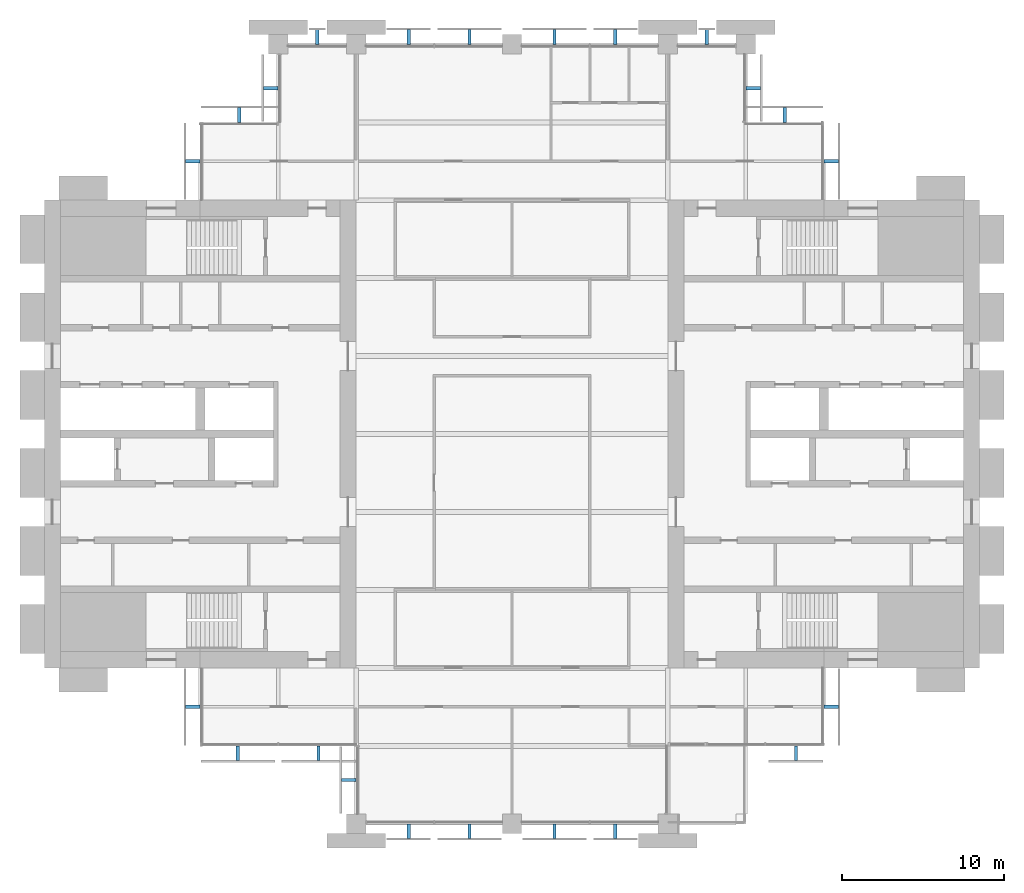
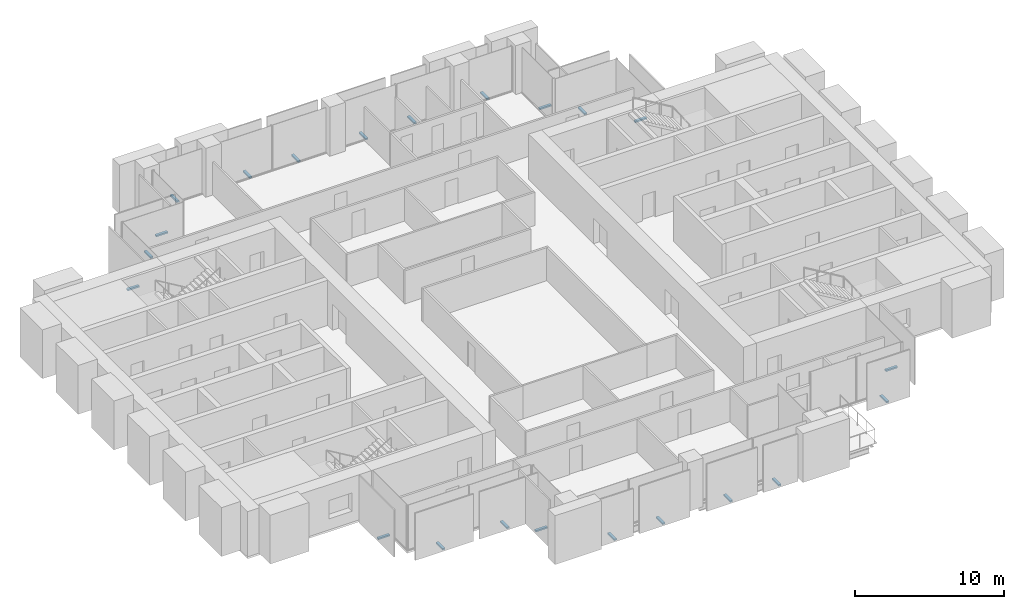
# One storey, part 12 of 13: 22 discrete accessories.
"""IFC4 building model written with IfcOpenShell, lengths in metres."""

from ifc_helpers import new_model, si_unit, direction, frame, origin, origin_2d, place, context, subcontext, project, spatial, rectangle, extrude, material, type_object, element, save


model = new_model("IFC4")

# Units and contexts
model_context = context("Model", 3, precision=1e-05, world=origin(), true_north=direction((0.0, 1.0)))
body_context = subcontext(model_context, "Body", "Model", "MODEL_VIEW")
ifc_project = project(units=[si_unit("LENGTHUNIT", "METRE"), si_unit("AREAUNIT", "SQUARE_METRE"), si_unit("VOLUMEUNIT", "CUBIC_METRE"), si_unit("PLANEANGLEUNIT", "RADIAN"), si_unit("MASSUNIT", "GRAM", prefix="KILO")], contexts=[model_context])

# Site, building, storey
site_placement = place(None, origin())
site = spatial("IfcSite", under=ifc_project, at=site_placement, CompositionType="ELEMENT")
building_placement = place(site_placement, origin())
building = spatial("IfcBuilding", under=site, at=building_placement, Name="Baori Bourse Tower", CompositionType="ELEMENT")
storey_placement = place(building_placement, frame((0.0, 0.0, 172.10009765625)))
storey = spatial("IfcBuildingStorey", under=building, at=storey_placement, Name="L38", CompositionType="ELEMENT", Elevation=172.10009765625)

# Discrete accessories
ifc_material = material(Name="Pale anodised aluminium", Category="aluminium")
discrete_accessory_type = type_object("IfcDiscreteAccessoryType", Name="OS2 Outer skin bracket", PredefinedType="BRACKET", material=ifc_material)
for number, where, z_axis, x_axis, name in (
    (1, (48.449951171875, 40.800048828125, -0.14404296875), (0.0, 0.0, 1.0), (0.0, 1.0, 0.0), "Outer skin bracket L38 1"),
    (2, (45.60009765625, 43.64990234375, -0.14404296875), (0.0, 0.0, 1.0), (-1.0, 0.0, 0.0), "Outer skin bracket L38 2"),
    (3, (43.64990234375, 45.300048828125, -0.14404296875), (0.0, 0.0, 1.0), (0.0, 1.0, 0.0), "Outer skin bracket L38 3"),
    (4, (40.800048828125, 48.449951171875, -0.14404296875), (0.0, 0.0, 1.0), (-1.0, 0.0, 0.0), "Outer skin bracket L38 4"),
    (5, (35.16259765625, 48.449951171875, -0.14404296875), (0.0, 0.0, 1.0), (-1.0, 0.0, 0.0), "Outer skin bracket L38 5"),
    (6, (31.41259765625, 48.449951171875, -0.14404296875), (0.0, 0.0, 1.0), (-1.0, 0.0, 0.0), "Outer skin bracket L38 6"),
    (7, (26.1875, 48.449951171875, -0.14404296875), (0.0, 0.0, 1.0), (-1.0, 0.0, 0.0), "Outer skin bracket L38 7"),
    (8, (22.4375, 48.449951171875, -0.14404296875), (0.0, 0.0, 1.0), (-1.0, 0.0, 0.0), "Outer skin bracket L38 8"),
    (9, (16.800048828125, 48.449951171875, -0.14404296875), (0.0, 0.0, 1.0), (-1.0, 0.0, 0.0), "Outer skin bracket L38 9"),
    (10, (13.949951171875, 45.300048828125, -0.14404296875), (0.0, 0.0, 1.0), (0.0, -1.0, 0.0), "Outer skin bracket L38 10"),
    (11, (12.0, 43.64990234375, -0.14404296875), (0.0, 0.0, 1.0), (-1.0, 0.0, 0.0), "Outer skin bracket L38 11"),
    (12, (9.14990234375, 40.800048828125, -0.14404296875), (0.0, 0.0, 1.0), (0.0, -1.0, 0.0), "Outer skin bracket L38 12"),
    (13, (9.14990234375, 7.199951171875, -0.14404296875), (0.0, 0.0, 1.0), (0.0, -1.0, 0.0), "Outer skin bracket L38 13"),
    (14, (11.91259765625, 4.35009765625, -0.14404296875), (0.0, 0.0, 1.0), (1.0, 0.0, 0.0), "Outer skin bracket L38 14"),
    (15, (16.887451171875, 4.35009765625, -0.14404296875), (0.0, 0.0, 1.0), (1.0, 0.0, 0.0), "Outer skin bracket L38 15"),
    (16, (18.75, 2.699951171875, -0.14404296875), (0.0, 0.0, 1.0), (0.0, -1.0, 0.0), "Outer skin bracket L38 16"),
    (17, (22.4375, -0.449951171875, -0.14404296875), (0.0, 0.0, 1.0), (1.0, 0.0, 0.0), "Outer skin bracket L38 17"),
    (18, (26.1875, -0.449951171875, -0.14404296875), (0.0, 0.0, 1.0), (1.0, 0.0, 0.0), "Outer skin bracket L38 18"),
    (19, (31.41259765625, -0.449951171875, -0.14404296875), (0.0, 0.0, 1.0), (1.0, 0.0, 0.0), "Outer skin bracket L38 19"),
    (20, (35.16259765625, -0.449951171875, -0.14404296875), (0.0, 0.0, 1.0), (1.0, 0.0, 0.0), "Outer skin bracket L38 20"),
    (21, (46.28759765625, 4.35009765625, -0.14404296875), (0.0, 0.0, 1.0), (1.0, 0.0, 0.0), "Outer skin bracket L38 21"),
    (22, (48.449951171875, 7.199951171875, -0.14404296875), (0.0, 0.0, 1.0), (0.0, 1.0, 0.0), "Outer skin bracket L38 22"),
):
    element("IfcDiscreteAccessory", number, at=place(storey_placement, frame(where, z_axis=z_axis, x_axis=x_axis)), inside=storey, type_object=discrete_accessory_type, Name=name, PredefinedType="BRACKET", context=body_context, shape_type="SweptSolid", body=[
        extrude(rectangle(XDim=0.199951171875, YDim=0.89990234375, at=origin_2d()), origin(), (0.0, 0.0, 1.0), 0.1279296875),
    ])

save(model, "model.ifc")
